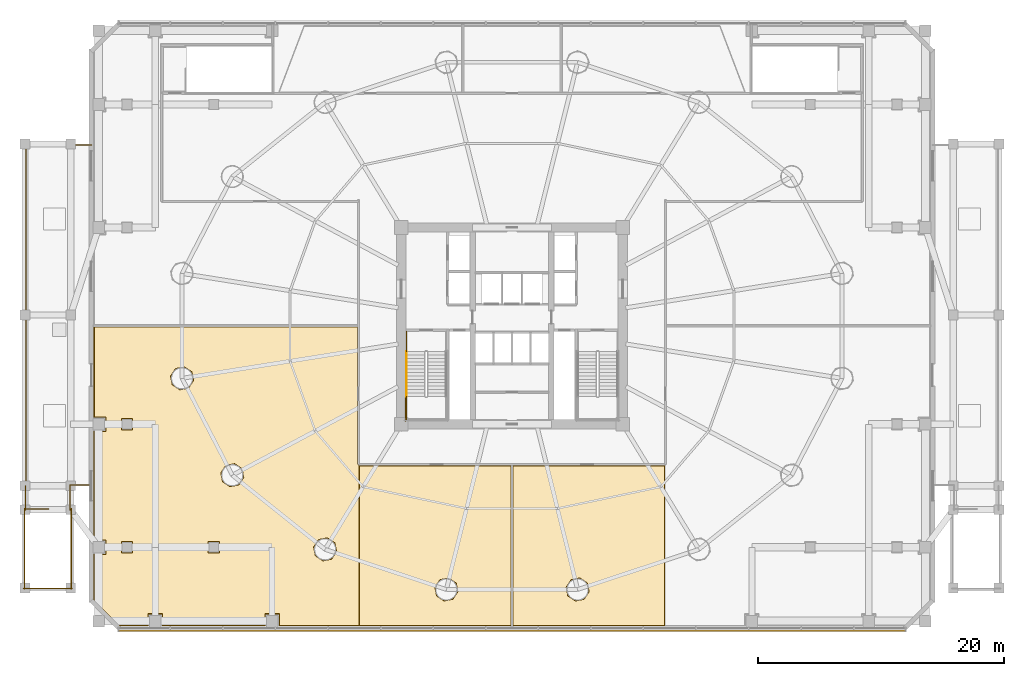
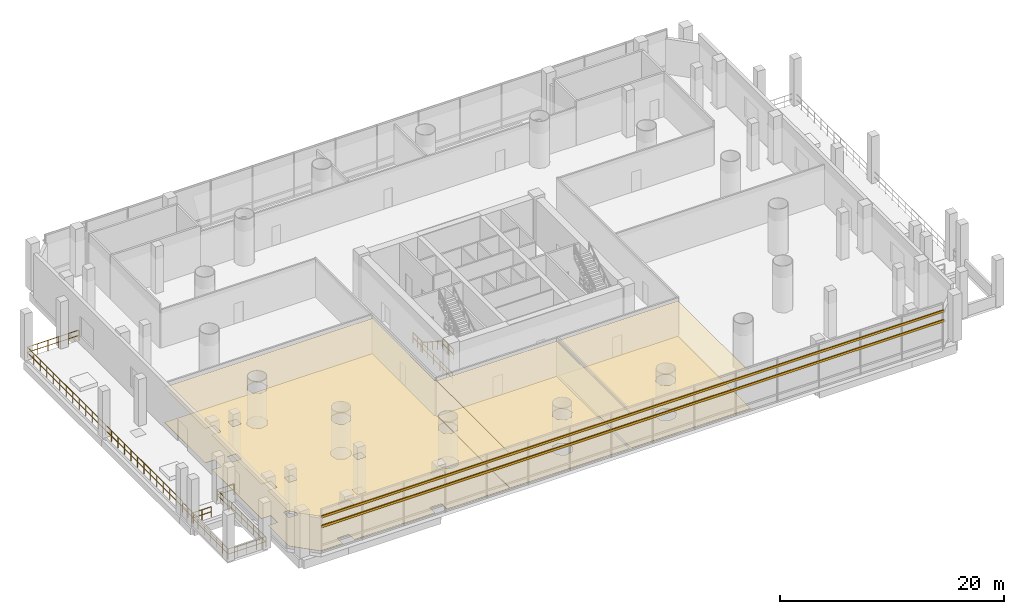
# One storey, part 27 of 31: 12 railings, 6 coverings, 2 shading devices.
"""IFC4 building model written with IfcOpenShell, lengths in metres."""

from ifc_helpers import new_model, si_unit, direction, frame, origin, origin_2d, place, context, subcontext, project, spatial, polyline, rectangle, hollow_rectangle, outline, extrude, source, transform, mapped, material, layer, layer_set, material_profile, profile_set, type_object, element, save


model = new_model("IFC4")

# Units and contexts
model_context = context("Model", 3, precision=1e-05, world=origin(), true_north=direction((-0.2419218956, 0.970295726276)))
body_context = subcontext(model_context, "Body", "Model", "MODEL_VIEW")
ifc_project = project(units=[si_unit("LENGTHUNIT", "METRE"), si_unit("AREAUNIT", "SQUARE_METRE"), si_unit("VOLUMEUNIT", "CUBIC_METRE"), si_unit("PLANEANGLEUNIT", "RADIAN"), si_unit("MASSUNIT", "GRAM", prefix="KILO")], contexts=[model_context])

# Site, building, storey
site_placement = place(None, origin())
site = spatial("IfcSite", under=ifc_project, at=site_placement, CompositionType="ELEMENT")
building_placement = place(site_placement, origin())
building = spatial("IfcBuilding", under=site, at=building_placement, Name="Cobrevalo Terracotta Tower", CompositionType="ELEMENT")
storey_placement = place(building_placement, frame((0.0, 0.0, 18.89990234375)))
storey = spatial("IfcBuildingStorey", under=building, at=storey_placement, Name="L04", CompositionType="ELEMENT", Elevation=18.89990234375)

# Coverings
ifc_material_1 = material(Name="Honed terracotta and granite tile", Category="masonry")
ifc_layer_1 = layer(ifc_material_1, 0.034912109375)
ifc_layer_set_1 = layer_set([ifc_layer_1], Name="Honed terracotta and granite tile")
covering_type_1 = type_object("IfcCoveringType", Name="Honed Terracotta & Granite Interior Flooring 35", PredefinedType="FLOORING", material=ifc_layer_set_1)
covering_1_placement = place(storey_placement, origin())
element("IfcCovering", 1, at=covering_1_placement, inside=storey, type_object=covering_type_1, Name="L04 West Botanical Conservatory floor finish", PredefinedType="FLOORING", context=body_context, shape_type="SweptSolid", body=[
    extrude(outline(polyline([(4.0400390625, 4.478271484375), (4.0400390625, 8.199951171875), (5.0, 8.199951171875), (5.0, 9.39990234375), (4.0400390625, 9.39990234375), (4.0400390625, 18.199951171875), (5.0, 18.199951171875), (5.0, 19.39990234375), (4.0400390625, 19.39990234375), (4.0400390625, 26.699951171875), (25.419921875, 26.699951171875), (25.419921875, 15.59814453125), (25.580078125, 15.423583984375), (25.580078125, 2.43994140625), (19.10009765625, 2.43994140625), (19.10009765625, 3.39990234375), (17.89990234375, 3.39990234375), (17.89990234375, 2.43994140625), (9.60009765625, 2.43994140625), (9.60009765625, 3.39990234375), (8.39990234375, 3.39990234375), (8.39990234375, 2.43994140625), (6.078369140625, 2.43994140625), (4.0400390625, 4.478271484375)]), holes=[polyline([(23.338623046875, 7.833984375), (23.746826171875, 8.445068359375), (23.603515625, 9.165771484375), (22.992431640625, 9.573974609375), (22.271728515625, 9.4306640625), (21.863525390625, 8.819580078125), (22.0068359375, 8.098876953125), (22.617919921875, 7.690673828125), (23.338623046875, 7.833984375)]), polyline([(15.792724609375, 13.862548828125), (16.200927734375, 14.473388671875), (16.0576171875, 15.194091796875), (15.446533203125, 15.6025390625), (14.725830078125, 15.458984375), (14.317626953125, 14.84814453125), (14.4609375, 14.12744140625), (15.072021484375, 13.71923828125), (15.792724609375, 13.862548828125)]), polyline([(13.2900390625, 8.340087890625), (14.2099609375, 8.340087890625), (14.2099609375, 9.260009765625), (13.2900390625, 9.260009765625), (13.2900390625, 8.340087890625)]), polyline([(11.708984375, 21.739013671875), (12.1171875, 22.349853515625), (11.973876953125, 23.07080078125), (11.36279296875, 23.47900390625), (10.64208984375, 23.33544921875), (10.23388671875, 22.724609375), (10.377197265625, 22.00390625), (10.98828125, 21.595703125), (11.708984375, 21.739013671875)]), polyline([(6.239990234375, 9.260009765625), (6.239990234375, 8.340087890625), (7.159912109375, 8.340087890625), (7.159912109375, 9.260009765625), (6.239990234375, 9.260009765625)]), polyline([(6.239990234375, 18.340087890625), (7.159912109375, 18.340087890625), (7.159912109375, 19.260009765625), (6.239990234375, 19.260009765625), (6.239990234375, 18.340087890625)])]), origin(), (0.0, 0.0, 1.0), 0.030029296875),
])
covering_2_placement = place(storey_placement, origin())
element("IfcCovering", 2, at=covering_2_placement, inside=storey, type_object=covering_type_1, Name="L04 Solarium Reading Room floor finish", PredefinedType="FLOORING", context=body_context, shape_type="SweptSolid", body=[
    extrude(outline(polyline([(25.6201171875, 15.419921875), (37.89990234375, 15.419921875), (37.89990234375, 2.43994140625), (25.6201171875, 2.43994140625), (25.6201171875, 15.419921875)]), holes=[polyline([(33.19775390625, 4.571533203125), (33.60595703125, 5.1826171875), (33.462646484375, 5.9033203125), (32.8515625, 6.3115234375), (32.130859375, 6.168212890625), (31.72265625, 5.55712890625), (31.865966796875, 4.83642578125), (32.47705078125, 4.42822265625), (33.19775390625, 4.571533203125)])]), origin(), (0.0, 0.0, 1.0), 0.030029296875),
])
covering_3_placement = place(storey_placement, origin())
element("IfcCovering", 3, at=covering_3_placement, inside=storey, type_object=covering_type_1, Name="L04 Terrace Catering Pantry floor finish", PredefinedType="FLOORING", context=body_context, shape_type="SweptSolid", body=[
    extrude(outline(polyline([(38.10009765625, 15.419921875), (50.3798828125, 15.419921875), (50.3798828125, 2.43994140625), (38.10009765625, 2.43994140625), (38.10009765625, 15.419921875)]), holes=[polyline([(43.869140625, 4.571533203125), (44.27734375, 5.1826171875), (44.134033203125, 5.9033203125), (43.52294921875, 6.3115234375), (42.80224609375, 6.168212890625), (42.39404296875, 5.55712890625), (42.537353515625, 4.83642578125), (43.1484375, 4.42822265625), (43.869140625, 4.571533203125)])]), origin(), (0.0, 0.0, 1.0), 0.030029296875),
])
ifc_material_2 = material(Name="Acoustic perforated gypsum ceiling", Category="gypsum")
ifc_layer_2 = layer(ifc_material_2, 0.050048828125)
ifc_layer_set_2 = layer_set([ifc_layer_2], Name="Acoustic perforated gypsum ceiling")
covering_type_2 = type_object("IfcCoveringType", Name="Perforated Acoustic Gypsum Ceiling 50", PredefinedType="CEILING", material=ifc_layer_set_2)
covering_4_placement = place(storey_placement, frame((0.0, 0.0, 3.780029296875)))
element("IfcCovering", 4, at=covering_4_placement, inside=storey, type_object=covering_type_2, Name="L04 West Botanical Conservatory acoustic ceiling", PredefinedType="CEILING", context=body_context, shape_type="SweptSolid", body=[
    extrude(outline(polyline([(3.9951171875, 4.459716796875), (3.9951171875, 8.2451171875), (4.955078125, 8.2451171875), (4.955078125, 9.35498046875), (3.9951171875, 9.35498046875), (3.9951171875, 18.2451171875), (4.955078125, 18.2451171875), (4.955078125, 19.35498046875), (3.9951171875, 19.35498046875), (3.9951171875, 26.7451171875), (25.465087890625, 26.7451171875), (25.465087890625, 15.6025390625), (25.625, 15.46044921875), (25.625, 2.39501953125), (19.054931640625, 2.39501953125), (19.054931640625, 3.35498046875), (17.945068359375, 3.35498046875), (17.945068359375, 2.39501953125), (9.554931640625, 2.39501953125), (9.554931640625, 3.35498046875), (8.445068359375, 3.35498046875), (8.445068359375, 2.39501953125), (6.0595703125, 2.39501953125), (3.9951171875, 4.459716796875)]), holes=[polyline([(23.3134765625, 7.87158203125), (23.702392578125, 8.453857421875), (23.56591796875, 9.140625), (22.983642578125, 9.52978515625), (22.296875, 9.39306640625), (21.907958984375, 8.810791015625), (22.04443359375, 8.1240234375), (22.626708984375, 7.735107421875), (23.3134765625, 7.87158203125)]), polyline([(15.767578125, 13.900146484375), (16.156494140625, 14.482421875), (16.02001953125, 15.169189453125), (15.437744140625, 15.55810546875), (14.7509765625, 15.42138671875), (14.362060546875, 14.83935546875), (14.49853515625, 14.152587890625), (15.080810546875, 13.763427734375), (15.767578125, 13.900146484375)]), polyline([(13.3349609375, 8.385009765625), (14.1650390625, 8.385009765625), (14.1650390625, 9.215087890625), (13.3349609375, 9.215087890625), (13.3349609375, 8.385009765625)]), polyline([(11.683837890625, 21.776611328125), (12.07275390625, 22.35888671875), (11.936279296875, 23.045654296875), (11.35400390625, 23.4345703125), (10.667236328125, 23.2978515625), (10.2783203125, 22.7158203125), (10.414794921875, 22.029052734375), (10.9970703125, 21.639892578125), (11.683837890625, 21.776611328125)]), polyline([(6.284912109375, 9.215087890625), (6.284912109375, 8.385009765625), (7.114990234375, 8.385009765625), (7.114990234375, 9.215087890625), (6.284912109375, 9.215087890625)]), polyline([(6.284912109375, 18.385009765625), (7.114990234375, 18.385009765625), (7.114990234375, 19.215087890625), (6.284912109375, 19.215087890625), (6.284912109375, 18.385009765625)])]), origin(), (0.0, 0.0, 1.0), 0.050048828125),
])
covering_5_placement = place(storey_placement, frame((0.0, 0.0, 3.780029296875)))
element("IfcCovering", 5, at=covering_5_placement, inside=storey, type_object=covering_type_2, Name="L04 Solarium Reading Room acoustic ceiling", PredefinedType="CEILING", context=body_context, shape_type="SweptSolid", body=[
    extrude(outline(polyline([(25.574951171875, 15.465087890625), (37.945068359375, 15.465087890625), (37.945068359375, 2.39501953125), (25.574951171875, 2.39501953125), (25.574951171875, 15.465087890625)]), holes=[polyline([(33.172607421875, 4.609130859375), (33.5615234375, 5.19140625), (33.425048828125, 5.878173828125), (32.8427734375, 6.26708984375), (32.156005859375, 6.130615234375), (31.76708984375, 5.54833984375), (31.903564453125, 4.861572265625), (32.48583984375, 4.47265625), (33.172607421875, 4.609130859375)])]), origin(), (0.0, 0.0, 1.0), 0.050048828125),
])
covering_6_placement = place(storey_placement, frame((0.0, 0.0, 3.780029296875)))
element("IfcCovering", 6, at=covering_6_placement, inside=storey, type_object=covering_type_2, Name="L04 Terrace Catering Pantry acoustic ceiling", PredefinedType="CEILING", context=body_context, shape_type="SweptSolid", body=[
    extrude(outline(polyline([(38.054931640625, 15.465087890625), (50.425048828125, 15.465087890625), (50.425048828125, 2.39501953125), (38.054931640625, 2.39501953125), (38.054931640625, 15.465087890625)]), holes=[polyline([(43.843994140625, 4.609130859375), (44.23291015625, 5.19140625), (44.096435546875, 5.878173828125), (43.51416015625, 6.26708984375), (42.827392578125, 6.130615234375), (42.4384765625, 5.54833984375), (42.574951171875, 4.861572265625), (43.1572265625, 4.47265625), (43.843994140625, 4.609130859375)])]), origin(), (0.0, 0.0, 1.0), 0.050048828125),
])

# Railings
ifc_material_3 = material(Name="Architectural bronze steel and glass", Category="steel")
railing_type_1 = type_object("IfcRailingType", Name="Raised garden & podium roof terrace guard balustrade 1200 mm", PredefinedType="BALUSTRADE", material=ifc_material_3)
railing_1_placement = place(storey_placement, frame((3.800048828125, 41.52001953125, 0.0)))
element("IfcRailing", 7, at=railing_1_placement, inside=storey, type_object=railing_type_1, Name="L04 west raised garden outer guard balustrade", PredefinedType="BALUSTRADE", context=body_context, shape_type="SweptSolid", body=[
    extrude(rectangle(XDim=0.048095703125, YDim=0.048095703125, at=origin_2d()), frame((0.0, 0.0, 1.17578125), z_axis=(-1.0, 0.0, 0.0), x_axis=(0.0, -1.0, 0.0)), (0.0, 0.0, 1.0), 5.320068359375),
    extrude(rectangle(XDim=0.048095703125, YDim=0.048095703125, at=origin_2d()), frame((0.0, 0.0, 0.60009765625), z_axis=(-1.0, 0.0, 0.0), x_axis=(0.0, -1.0, 0.0)), (0.0, 0.0, 1.0), 5.320068359375),
    extrude(rectangle(XDim=0.048095703125, YDim=0.048095703125, at=origin_2d()), frame((-5.320068359375, 0.0, 1.17578125), z_axis=(0.0, -1.0, 0.0), x_axis=(1.0, 0.0, 0.0)), (0.0, 0.0, 1.0), 27.719970703125),
    extrude(rectangle(XDim=0.048095703125, YDim=0.048095703125, at=origin_2d()), frame((-5.320068359375, 0.0, 0.60009765625), z_axis=(0.0, -1.0, 0.0), x_axis=(1.0, 0.0, 0.0)), (0.0, 0.0, 1.0), 27.719970703125),
    extrude(rectangle(XDim=0.0419921875, YDim=0.0419921875, at=origin_2d()), origin(), (0.0, 0.0, 1.0), 1.15185546875),
    extrude(rectangle(XDim=0.0419921875, YDim=0.0419921875, at=origin_2d()), frame((-1.06396484375, 0.0, 0.0)), (0.0, 0.0, 1.0), 1.15185546875),
    extrude(rectangle(XDim=0.0419921875, YDim=0.0419921875, at=origin_2d()), frame((-2.1279296875, 0.0, 0.0)), (0.0, 0.0, 1.0), 1.15185546875),
    extrude(rectangle(XDim=0.0419921875, YDim=0.0419921875, at=origin_2d()), frame((-3.192138671875, 0.0, 0.0)), (0.0, 0.0, 1.0), 1.15185546875),
    extrude(rectangle(XDim=0.0419921875, YDim=0.0419921875, at=origin_2d()), frame((-4.256103515625, 0.0, 0.0)), (0.0, 0.0, 1.0), 1.15185546875),
    extrude(rectangle(XDim=0.0419921875, YDim=0.0419921875, at=origin_2d()), frame((-5.320068359375, 0.0, 0.0)), (0.0, 0.0, 1.0), 1.15185546875),
    extrude(rectangle(XDim=0.0419921875, YDim=0.0419921875, at=origin_2d()), frame((-5.320068359375, -1.155029296875, 0.0)), (0.0, 0.0, 1.0), 1.15185546875),
    extrude(rectangle(XDim=0.0419921875, YDim=0.0419921875, at=origin_2d()), frame((-5.320068359375, -2.31005859375, 0.0)), (0.0, 0.0, 1.0), 1.15185546875),
    extrude(rectangle(XDim=0.0419921875, YDim=0.0419921875, at=origin_2d()), frame((-5.320068359375, -3.465087890625, 0.0)), (0.0, 0.0, 1.0), 1.15185546875),
    extrude(rectangle(XDim=0.0419921875, YDim=0.0419921875, at=origin_2d()), frame((-5.320068359375, -4.6201171875, 0.0)), (0.0, 0.0, 1.0), 1.15185546875),
    extrude(rectangle(XDim=0.0419921875, YDim=0.0419921875, at=origin_2d()), frame((-5.320068359375, -5.77490234375, 0.0)), (0.0, 0.0, 1.0), 1.15185546875),
    extrude(rectangle(XDim=0.0419921875, YDim=0.0419921875, at=origin_2d()), frame((-5.320068359375, -6.929931640625, 0.0)), (0.0, 0.0, 1.0), 1.15185546875),
    extrude(rectangle(XDim=0.0419921875, YDim=0.0419921875, at=origin_2d()), frame((-5.320068359375, -8.0849609375, 0.0)), (0.0, 0.0, 1.0), 1.15185546875),
    extrude(rectangle(XDim=0.0419921875, YDim=0.0419921875, at=origin_2d()), frame((-5.320068359375, -9.239990234375, 0.0)), (0.0, 0.0, 1.0), 1.15185546875),
    extrude(rectangle(XDim=0.0419921875, YDim=0.0419921875, at=origin_2d()), frame((-5.320068359375, -10.39501953125, 0.0)), (0.0, 0.0, 1.0), 1.15185546875),
    extrude(rectangle(XDim=0.0419921875, YDim=0.0419921875, at=origin_2d()), frame((-5.320068359375, -11.550048828125, 0.0)), (0.0, 0.0, 1.0), 1.15185546875),
    extrude(rectangle(XDim=0.0419921875, YDim=0.0419921875, at=origin_2d()), frame((-5.320068359375, -12.705078125, 0.0)), (0.0, 0.0, 1.0), 1.15185546875),
    extrude(rectangle(XDim=0.0419921875, YDim=0.0419921875, at=origin_2d()), frame((-5.320068359375, -13.85986328125, 0.0)), (0.0, 0.0, 1.0), 1.15185546875),
    extrude(rectangle(XDim=0.0419921875, YDim=0.0419921875, at=origin_2d()), frame((-5.320068359375, -15.014892578125, 0.0)), (0.0, 0.0, 1.0), 1.15185546875),
    extrude(rectangle(XDim=0.0419921875, YDim=0.0419921875, at=origin_2d()), frame((-5.320068359375, -16.169921875, 0.0)), (0.0, 0.0, 1.0), 1.15185546875),
    extrude(rectangle(XDim=0.0419921875, YDim=0.0419921875, at=origin_2d()), frame((-5.320068359375, -17.324951171875, 0.0)), (0.0, 0.0, 1.0), 1.15185546875),
    extrude(rectangle(XDim=0.0419921875, YDim=0.0419921875, at=origin_2d()), frame((-5.320068359375, -18.47998046875, 0.0)), (0.0, 0.0, 1.0), 1.15185546875),
    extrude(rectangle(XDim=0.0419921875, YDim=0.0419921875, at=origin_2d()), frame((-5.320068359375, -19.635009765625, 0.0)), (0.0, 0.0, 1.0), 1.15185546875),
    extrude(rectangle(XDim=0.0419921875, YDim=0.0419921875, at=origin_2d()), frame((-5.320068359375, -20.7900390625, 0.0)), (0.0, 0.0, 1.0), 1.15185546875),
    extrude(rectangle(XDim=0.0419921875, YDim=0.0419921875, at=origin_2d()), frame((-5.320068359375, -21.945068359375, 0.0)), (0.0, 0.0, 1.0), 1.15185546875),
    extrude(rectangle(XDim=0.0419921875, YDim=0.0419921875, at=origin_2d()), frame((-5.320068359375, -23.10009765625, 0.0)), (0.0, 0.0, 1.0), 1.15185546875),
    extrude(rectangle(XDim=0.0419921875, YDim=0.0419921875, at=origin_2d()), frame((-5.320068359375, -24.2548828125, 0.0)), (0.0, 0.0, 1.0), 1.15185546875),
    extrude(rectangle(XDim=0.0419921875, YDim=0.0419921875, at=origin_2d()), frame((-5.320068359375, -25.409912109375, 0.0)), (0.0, 0.0, 1.0), 1.15185546875),
    extrude(rectangle(XDim=0.0419921875, YDim=0.0419921875, at=origin_2d()), frame((-5.320068359375, -26.56494140625, 0.0)), (0.0, 0.0, 1.0), 1.15185546875),
    extrude(rectangle(XDim=0.0419921875, YDim=0.0419921875, at=origin_2d()), frame((-5.320068359375, -27.719970703125, 0.0)), (0.0, 0.0, 1.0), 1.15185546875),
])
railing_2_placement = place(storey_placement, frame((2.080078125, 13.8798828125, 0.0)))
element("IfcRailing", 8, at=railing_2_placement, inside=storey, type_object=railing_type_1, Name="L04 west raised garden south return guard", PredefinedType="BALUSTRADE", context=body_context, shape_type="SweptSolid", body=[
    extrude(rectangle(XDim=0.048095703125, YDim=0.048095703125, at=origin_2d()), frame((0.0, 0.0, 1.17578125), z_axis=(1.0, 0.0, 0.0), x_axis=(0.0, 1.0, 0.0)), (0.0, 0.0, 1.0), 1.719970703125),
    extrude(rectangle(XDim=0.048095703125, YDim=0.048095703125, at=origin_2d()), frame((0.0, 0.0, 0.60009765625), z_axis=(1.0, 0.0, 0.0), x_axis=(0.0, 1.0, 0.0)), (0.0, 0.0, 1.0), 1.719970703125),
    extrude(rectangle(XDim=0.0419921875, YDim=0.0419921875, at=origin_2d()), origin(), (0.0, 0.0, 1.0), 1.15185546875),
    extrude(rectangle(XDim=0.0419921875, YDim=0.0419921875, at=origin_2d()), frame((0.85986328125, 0.0, 0.0)), (0.0, 0.0, 1.0), 1.15185546875),
    extrude(rectangle(XDim=0.0419921875, YDim=0.0419921875, at=origin_2d()), frame((1.719970703125, 0.0, 0.0)), (0.0, 0.0, 1.0), 1.15185546875),
])
ifc_material_4 = material(Name="Brushed stainless steel", Category="steel")
railing_type_2 = type_object("IfcRailingType", Name="Stainless Steel Stair Handrail 900", PredefinedType="HANDRAIL", material=ifc_material_4)
railing_3_placement = place(storey_placement, frame((29.425048828125, 24.699951171875, 0.18212890625)))
element("IfcRailing", 9, at=railing_3_placement, inside=storey, type_object=railing_type_2, Name="L04 ST-1 stair handrail 1", PredefinedType="HANDRAIL", context=body_context, shape_type="SweptSolid", body=[
    extrude(rectangle(XDim=0.048095703125, YDim=0.048095703125, at=origin_2d()), frame((0.0, 0.0, 0.8759765625), z_axis=(0.0, -0.838234174257, 0.545310433706), x_axis=(1.0, 0.0, 0.0)), (0.0, 0.0, 1.0), 4.34228515625),
    extrude(rectangle(XDim=0.0419921875, YDim=0.0419921875, at=origin_2d()), origin(), (0.0, 0.0, 1.0), 0.851806640625),
    extrude(rectangle(XDim=0.0419921875, YDim=0.0419921875, at=origin_2d()), frame((0.0, -0.909912109375, 0.592041015625)), (0.0, 0.0, 1.0), 0.851806640625),
    extrude(rectangle(XDim=0.0419921875, YDim=0.0419921875, at=origin_2d()), frame((0.0, -1.81982421875, 1.18408203125)), (0.0, 0.0, 1.0), 0.851806640625),
    extrude(rectangle(XDim=0.0419921875, YDim=0.0419921875, at=origin_2d()), frame((0.0, -2.72998046875, 1.77587890625)), (0.0, 0.0, 1.0), 0.851806640625),
    extrude(rectangle(XDim=0.0419921875, YDim=0.0419921875, at=origin_2d()), frame((0.0, -3.639892578125, 2.367919921875)), (0.0, 0.0, 1.0), 0.851806640625),
])
ifc_material_5 = material(Name="Painted galvanized steel", Category="steel")
railing_type_3 = type_object("IfcRailingType", Name="Stair Well Guard Balustrade 1150", PredefinedType="GUARDRAIL", material=ifc_material_5)
railing_4_placement = place(storey_placement, frame((29.425048828125, 21.06005859375, 2.550048828125)))
element("IfcRailing", 10, at=railing_4_placement, inside=storey, type_object=railing_type_3, Name="L04 ST-1 stair guard 3", PredefinedType="GUARDRAIL", context=body_context, shape_type="SweptSolid", body=[
    extrude(rectangle(XDim=0.048095703125, YDim=0.048095703125, at=origin_2d()), frame((0.0, 0.0, 1.1259765625), z_axis=(0.0, -1.0, 0.0), x_axis=(1.0, 0.0, 0.0)), (0.0, 0.0, 1.0), 1.885009765625),
    extrude(rectangle(XDim=0.048095703125, YDim=0.048095703125, at=origin_2d()), frame((0.0, 0.0, 0.574951171875), z_axis=(0.0, -1.0, 0.0), x_axis=(1.0, 0.0, 0.0)), (0.0, 0.0, 1.0), 1.885009765625),
    extrude(rectangle(XDim=0.0419921875, YDim=0.0419921875, at=origin_2d()), origin(), (0.0, 0.0, 1.0), 1.101806640625),
    extrude(rectangle(XDim=0.0419921875, YDim=0.0419921875, at=origin_2d()), frame((0.0, -0.9423828125, 0.0)), (0.0, 0.0, 1.0), 1.101806640625),
    extrude(rectangle(XDim=0.0419921875, YDim=0.0419921875, at=origin_2d()), frame((0.0, -1.885009765625, 0.0)), (0.0, 0.0, 1.0), 1.101806640625),
])
railing_5_placement = place(storey_placement, frame((29.425048828125, 26.35009765625, 0.0)))
element("IfcRailing", 11, at=railing_5_placement, inside=storey, type_object=railing_type_3, Name="L04 ST-1 stair guard 8", PredefinedType="GUARDRAIL", context=body_context, shape_type="SweptSolid", body=[
    extrude(rectangle(XDim=0.048095703125, YDim=0.048095703125, at=origin_2d()), frame((0.0, 0.0, 1.1259765625), z_axis=(0.0, -1.0, 0.0), x_axis=(1.0, 0.0, 0.0)), (0.0, 0.0, 1.0), 1.650146484375),
    extrude(rectangle(XDim=0.048095703125, YDim=0.048095703125, at=origin_2d()), frame((0.0, 0.0, 0.574951171875), z_axis=(0.0, -1.0, 0.0), x_axis=(1.0, 0.0, 0.0)), (0.0, 0.0, 1.0), 1.650146484375),
    extrude(rectangle(XDim=0.0419921875, YDim=0.0419921875, at=origin_2d()), origin(), (0.0, 0.0, 1.0), 1.101806640625),
    extrude(rectangle(XDim=0.0419921875, YDim=0.0419921875, at=origin_2d()), frame((0.0, -0.8251953125, 0.0)), (0.0, 0.0, 1.0), 1.101806640625),
    extrude(rectangle(XDim=0.0419921875, YDim=0.0419921875, at=origin_2d()), frame((0.0, -1.650146484375, 0.0)), (0.0, 0.0, 1.0), 1.101806640625),
])
railing_6_placement = place(storey_placement, frame((29.324951171875, 24.800048828125, 0.0)))
element("IfcRailing", 12, at=railing_6_placement, inside=storey, type_object=railing_type_3, Name="L04 ST-1 stair guard 10", PredefinedType="GUARDRAIL", context=body_context, shape_type="SweptSolid", body=[
    extrude(rectangle(XDim=0.048095703125, YDim=0.048095703125, at=origin_2d()), frame((0.0, 0.0, 1.1259765625), z_axis=(0.0, -1.0, 0.0), x_axis=(1.0, 0.0, 0.0)), (0.0, 0.0, 1.0), 5.72509765625),
    extrude(rectangle(XDim=0.048095703125, YDim=0.048095703125, at=origin_2d()), frame((0.0, 0.0, 0.574951171875), z_axis=(0.0, -1.0, 0.0), x_axis=(1.0, 0.0, 0.0)), (0.0, 0.0, 1.0), 5.72509765625),
    extrude(rectangle(XDim=0.0419921875, YDim=0.0419921875, at=origin_2d()), origin(), (0.0, 0.0, 1.0), 1.101806640625),
    extrude(rectangle(XDim=0.0419921875, YDim=0.0419921875, at=origin_2d()), frame((0.0, -1.14501953125, 0.0)), (0.0, 0.0, 1.0), 1.101806640625),
    extrude(rectangle(XDim=0.0419921875, YDim=0.0419921875, at=origin_2d()), frame((0.0, -2.2900390625, 0.0)), (0.0, 0.0, 1.0), 1.101806640625),
    extrude(rectangle(XDim=0.0419921875, YDim=0.0419921875, at=origin_2d()), frame((0.0, -3.43505859375, 0.0)), (0.0, 0.0, 1.0), 1.101806640625),
    extrude(rectangle(XDim=0.0419921875, YDim=0.0419921875, at=origin_2d()), frame((0.0, -4.580078125, 0.0)), (0.0, 0.0, 1.0), 1.101806640625),
    extrude(rectangle(XDim=0.0419921875, YDim=0.0419921875, at=origin_2d()), frame((0.0, -5.72509765625, 0.0)), (0.0, 0.0, 1.0), 1.101806640625),
])
railing_7_placement = place(storey_placement, frame((-1.60009765625, 11.89990234375, 0.0)))
element("IfcRailing", 13, at=railing_7_placement, inside=storey, type_object=railing_type_3, Name="L04 ST-EXT-W top well guard 1", PredefinedType="GUARDRAIL", context=body_context, shape_type="SweptSolid", body=[
    extrude(rectangle(XDim=0.048095703125, YDim=0.048095703125, at=origin_2d()), frame((0.0, 0.0, 1.1259765625), z_axis=(1.0, 0.0, 0.0), x_axis=(0.0, 1.0, 0.0)), (0.0, 0.0, 1.0), 1.920166015625),
    extrude(rectangle(XDim=0.048095703125, YDim=0.048095703125, at=origin_2d()), frame((0.0, 0.0, 0.574951171875), z_axis=(1.0, 0.0, 0.0), x_axis=(0.0, 1.0, 0.0)), (0.0, 0.0, 1.0), 1.920166015625),
    extrude(rectangle(XDim=0.0419921875, YDim=0.0419921875, at=origin_2d()), origin(), (0.0, 0.0, 1.0), 1.101806640625),
    extrude(rectangle(XDim=0.0419921875, YDim=0.0419921875, at=origin_2d()), frame((0.9599609375, 0.0, 0.0)), (0.0, 0.0, 1.0), 1.101806640625),
    extrude(rectangle(XDim=0.0419921875, YDim=0.0419921875, at=origin_2d()), frame((1.920166015625, 0.0, 0.0)), (0.0, 0.0, 1.0), 1.101806640625),
])
for number, where, name in (
    (14, (-1.64990234375, 11.949951171875, 0.0), "L04 ST-EXT-W top well guard 2"),
    (15, (2.169921875, 11.949951171875, 0.0), "L04 ST-EXT-W top well guard 3"),
):
    element("IfcRailing", number, at=place(storey_placement, frame(where)), inside=storey, type_object=railing_type_3, Name=name, PredefinedType="GUARDRAIL", context=body_context, shape_type="SweptSolid", body=[
        extrude(rectangle(XDim=0.048095703125, YDim=0.048095703125, at=origin_2d()), frame((0.0, 0.0, 1.1259765625), z_axis=(0.0, -1.0, 0.0), x_axis=(1.0, 0.0, 0.0)), (0.0, 0.0, 1.0), 6.550048828125),
        extrude(rectangle(XDim=0.048095703125, YDim=0.048095703125, at=origin_2d()), frame((0.0, 0.0, 0.574951171875), z_axis=(0.0, -1.0, 0.0), x_axis=(1.0, 0.0, 0.0)), (0.0, 0.0, 1.0), 6.550048828125),
        extrude(rectangle(XDim=0.0419921875, YDim=0.0419921875, at=origin_2d()), origin(), (0.0, 0.0, 1.0), 1.101806640625),
        extrude(rectangle(XDim=0.0419921875, YDim=0.0419921875, at=origin_2d()), frame((0.0, -1.091796875, 0.0)), (0.0, 0.0, 1.0), 1.101806640625),
        extrude(rectangle(XDim=0.0419921875, YDim=0.0419921875, at=origin_2d()), frame((0.0, -2.183349609375, 0.0)), (0.0, 0.0, 1.0), 1.101806640625),
        extrude(rectangle(XDim=0.0419921875, YDim=0.0419921875, at=origin_2d()), frame((0.0, -3.27490234375, 0.0)), (0.0, 0.0, 1.0), 1.101806640625),
        extrude(rectangle(XDim=0.0419921875, YDim=0.0419921875, at=origin_2d()), frame((0.0, -4.36669921875, 0.0)), (0.0, 0.0, 1.0), 1.101806640625),
        extrude(rectangle(XDim=0.0419921875, YDim=0.0419921875, at=origin_2d()), frame((0.0, -5.45849609375, 0.0)), (0.0, 0.0, 1.0), 1.101806640625),
        extrude(rectangle(XDim=0.0419921875, YDim=0.0419921875, at=origin_2d()), frame((0.0, -6.550048828125, 0.0)), (0.0, 0.0, 1.0), 1.101806640625),
    ])
railing_8_placement = place(storey_placement, frame((-1.699951171875, 5.449951171875, 0.0)))
element("IfcRailing", 16, at=railing_8_placement, inside=storey, type_object=railing_type_3, Name="L04 ST-EXT-W top well guard 4", PredefinedType="GUARDRAIL", context=body_context, shape_type="SweptSolid", body=[
    extrude(rectangle(XDim=0.048095703125, YDim=0.048095703125, at=origin_2d()), frame((0.0, 0.0, 1.1259765625), z_axis=(1.0, 0.0, 0.0), x_axis=(0.0, 1.0, 0.0)), (0.0, 0.0, 1.0), 3.919921875),
    extrude(rectangle(XDim=0.048095703125, YDim=0.048095703125, at=origin_2d()), frame((0.0, 0.0, 0.574951171875), z_axis=(1.0, 0.0, 0.0), x_axis=(0.0, 1.0, 0.0)), (0.0, 0.0, 1.0), 3.919921875),
    extrude(rectangle(XDim=0.0419921875, YDim=0.0419921875, at=origin_2d()), origin(), (0.0, 0.0, 1.0), 1.101806640625),
    extrude(rectangle(XDim=0.0419921875, YDim=0.0419921875, at=origin_2d()), frame((0.97998046875, 0.0, 0.0)), (0.0, 0.0, 1.0), 1.101806640625),
    extrude(rectangle(XDim=0.0419921875, YDim=0.0419921875, at=origin_2d()), frame((1.9599609375, 0.0, 0.0)), (0.0, 0.0, 1.0), 1.101806640625),
    extrude(rectangle(XDim=0.0419921875, YDim=0.0419921875, at=origin_2d()), frame((2.93994140625, 0.0, 0.0)), (0.0, 0.0, 1.0), 1.101806640625),
    extrude(rectangle(XDim=0.0419921875, YDim=0.0419921875, at=origin_2d()), frame((3.919921875, 0.0, 0.0)), (0.0, 0.0, 1.0), 1.101806640625),
])
for number, where, name in (
    (17, (-1.550048828125, 13.800048828125, 0.0), "L04 ST-EXT-W top well guard 5"),
    (18, (2.070068359375, 13.800048828125, 0.0), "L04 ST-EXT-W top well guard 6"),
):
    element("IfcRailing", number, at=place(storey_placement, frame(where)), inside=storey, type_object=railing_type_3, Name=name, PredefinedType="GUARDRAIL", context=body_context, shape_type="SweptSolid", body=[
        extrude(rectangle(XDim=0.048095703125, YDim=0.048095703125, at=origin_2d()), frame((0.0, 0.0, 1.1259765625), z_axis=(0.0, -1.0, 0.0), x_axis=(1.0, 0.0, 0.0)), (0.0, 0.0, 1.0), 1.949951171875),
        extrude(rectangle(XDim=0.048095703125, YDim=0.048095703125, at=origin_2d()), frame((0.0, 0.0, 0.574951171875), z_axis=(0.0, -1.0, 0.0), x_axis=(1.0, 0.0, 0.0)), (0.0, 0.0, 1.0), 1.949951171875),
        extrude(rectangle(XDim=0.0419921875, YDim=0.0419921875, at=origin_2d()), origin(), (0.0, 0.0, 1.0), 1.101806640625),
        extrude(rectangle(XDim=0.0419921875, YDim=0.0419921875, at=origin_2d()), frame((0.0, -0.97509765625, 0.0)), (0.0, 0.0, 1.0), 1.101806640625),
        extrude(rectangle(XDim=0.0419921875, YDim=0.0419921875, at=origin_2d()), frame((0.0, -1.949951171875, 0.0)), (0.0, 0.0, 1.0), 1.101806640625),
    ])

# Shading devices
ifc_material_6 = material(Name="Extruded fired architectural terracotta", Category="masonry")
ifc_material_profile = material_profile(ifc_material_6, hollow_rectangle(XDim=0.110107421875, YDim=0.239990234375, WallThickness=0.01806640625, at=origin_2d()), Name="BAGUETTE 110x240")
ifc_profile_set = profile_set([ifc_material_profile], Name="Extruded fired architectural terracotta")
shading_device_type = type_object("IfcShadingDeviceType", Name="Horizontal Terracotta Baguette Screen 110x240", PredefinedType="USERDEFINED", material=ifc_profile_set)
shared_shape = source(origin(), body_context, "Body", "SweptSolid", [
    extrude(hollow_rectangle(XDim=0.110107421875, YDim=0.239990234375, WallThickness=0.01806640625, at=origin_2d()), origin(), (0.0, 0.0, 1.0), 64.02001953125),
])
for number, where, z_axis, x_axis, name in (
    (19, (5.989990234375, 2.02001953125, 2.988525390625), (1.0, 0.0, 0.0), (0.0, 1.0, 0.0), "CW-POD-L04-S horizontal terracotta baguette 1"),
    (20, (5.989990234375, 2.02001953125, 4.048828125), (1.0, 0.0, 0.0), (0.0, 1.0, 0.0), "CW-POD-L04-S horizontal terracotta baguette 2"),
):
    element("IfcShadingDevice", number, at=place(storey_placement, frame(where, z_axis=z_axis, x_axis=x_axis)), inside=storey, type_object=shading_device_type, Name=name, ObjectType="BAGUETTE", PredefinedType="USERDEFINED", context=body_context, shape_type="MappedRepresentation", body=[
        mapped(shared_shape, transform((0.0, 0.0, 0.0), scale=1.0)),
    ])

save(model, "model.ifc")
